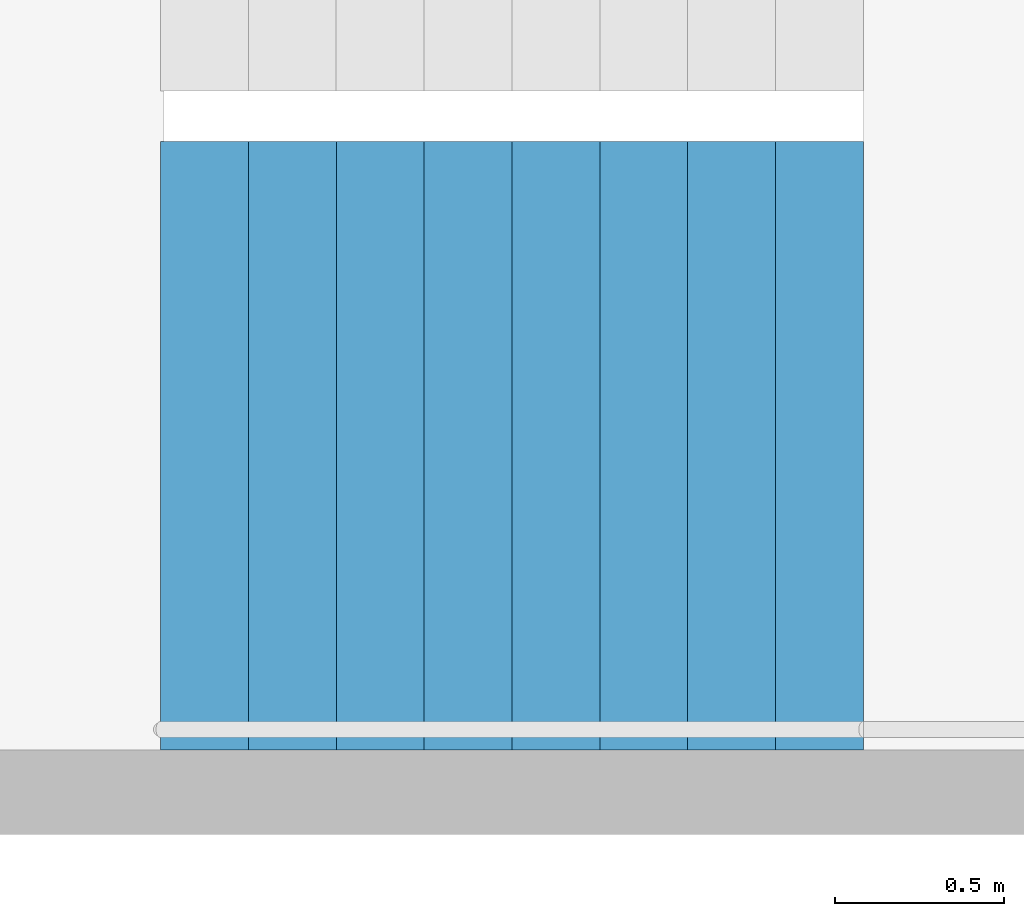
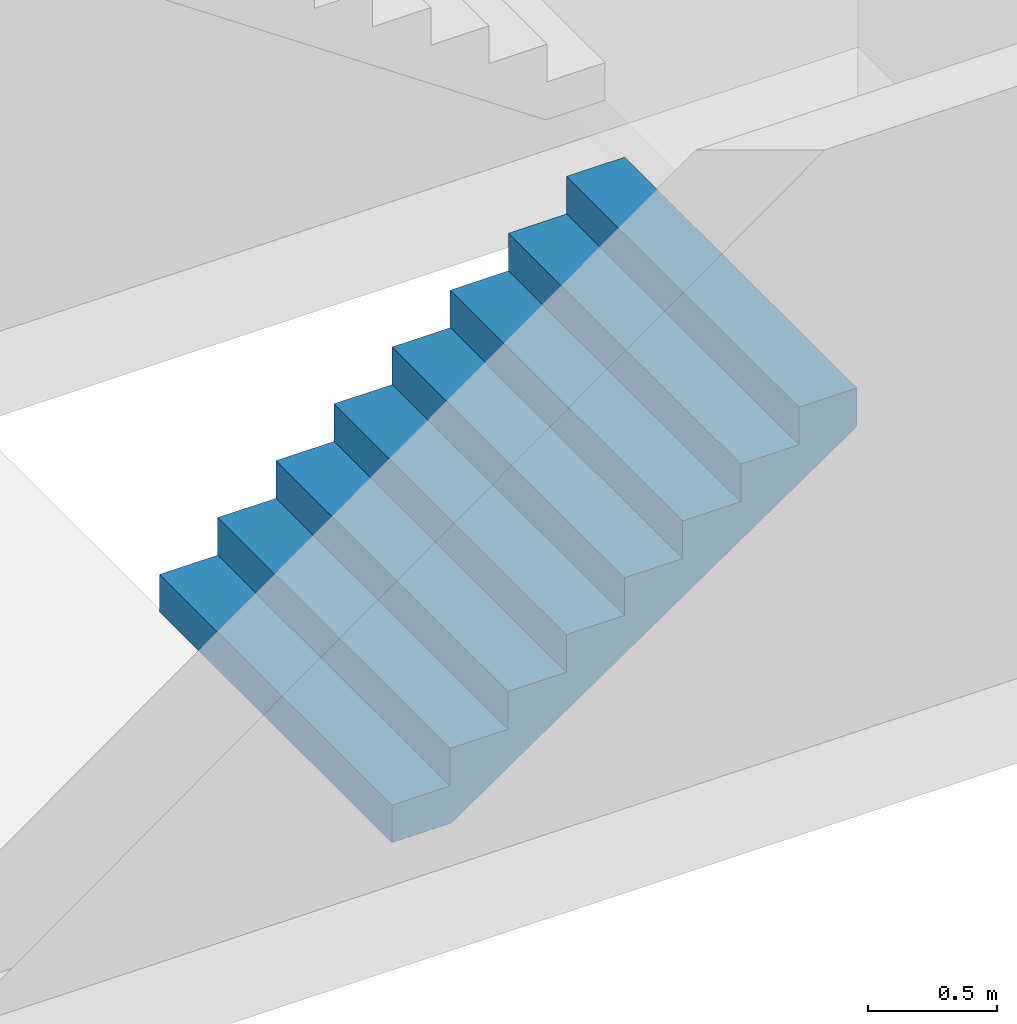
# One storey, part 23 of 29: 1 stair flight, 1 element without a shape of its own.
"""IFC4 building model written with IfcOpenShell, lengths in metres."""

from ifc_helpers import new_model, si_unit, direction, frame, origin, place, context, subcontext, project, spatial, triangles, material, type_object, element, aggregate, save


model = new_model("IFC4")

# Units and contexts
model_context = context("Model", 3, precision=1e-05, world=origin(), true_north=direction((0.0, 1.0)))
body_context = subcontext(model_context, "Body", "Model", "MODEL_VIEW")
ifc_project = project(units=[si_unit("LENGTHUNIT", "METRE"), si_unit("AREAUNIT", "SQUARE_METRE"), si_unit("VOLUMEUNIT", "CUBIC_METRE"), si_unit("PLANEANGLEUNIT", "RADIAN"), si_unit("MASSUNIT", "GRAM", prefix="KILO")], contexts=[model_context])

# Site, building, storey
site_placement = place(None, origin())
site = spatial("IfcSite", under=ifc_project, at=site_placement, CompositionType="ELEMENT")
building_placement = place(site_placement, origin())
building = spatial("IfcBuilding", under=site, at=building_placement, Name="Hakoniwa Tower and Hamabe Station Hall", CompositionType="ELEMENT")
storey_placement = place(building_placement, frame((0.0, 0.0, 85.0)))
storey = spatial("IfcBuildingStorey", under=building, at=storey_placement, Name="L23", CompositionType="ELEMENT", Elevation=85.0)

# Stair, stair flight
ifc_material_1 = material(Name="Concrete C40", Category="concrete")
stair_type = type_object("IfcStairType", Name="ESCAPE STAIR 1800", PredefinedType="HALF_TURN_STAIR", material=ifc_material_1)
stair_placement = place(storey_placement, origin())
stair = element("IfcStair", 1, at=stair_placement, inside=storey, type_object=stair_type, Name="Escape stair ST-1 L23", PredefinedType="HALF_TURN_STAIR")
ifc_material_2 = material(Name="Concrete C40", Category="concrete")
stair_flight_type = type_object("IfcStairFlightType", Name="STAIR FLIGHT 1800", PredefinedType="STRAIGHT", material=ifc_material_2)
stair_flight_placement = place(storey_placement, frame((-24.39990234375, 4.64990234375, 0.0), z_axis=(0.0, 0.0, 1.0), x_axis=(1.0, 0.0, 0.0)))
stair_flight = element("IfcStairFlight", 2, at=stair_flight_placement, type_object=stair_flight_type, Name="ST-1 flight 1", NumberOfRisers=9, NumberOfTreads=8, PredefinedType="STRAIGHT", RiserHeight=0.177777778, TreadLength=0.26, context=body_context, shape_type="Tessellation", body=[
    triangles([(0.0, 0.89990234375, 0.0), (0.260009765625, 0.89990234375, 0.0), (0.265625, 0.89990234375, 0.0), (0.52001953125, 0.89990234375, 0.174072265625), (0.780029296875, 0.89990234375, 0.351806640625), (1.0400390625, 0.89990234375, 0.529541015625), (1.300048828125, 0.89990234375, 0.707275390625), (1.56005859375, 0.89990234375, 0.885009765625), (1.820068359375, 0.89990234375, 1.062744140625), (2.080078125, 0.89990234375, 1.24072265625), (2.080078125, 0.89990234375, 1.422119140625), (1.820068359375, 0.89990234375, 1.422119140625), (1.820068359375, 0.89990234375, 1.244384765625), (1.56005859375, 0.89990234375, 1.244384765625), (1.56005859375, 0.89990234375, 1.066650390625), (1.300048828125, 0.89990234375, 1.066650390625), (1.300048828125, 0.89990234375, 0.888916015625), (1.0400390625, 0.89990234375, 0.888916015625), (1.0400390625, 0.89990234375, 0.711181640625), (0.780029296875, 0.89990234375, 0.711181640625), (0.780029296875, 0.89990234375, 0.533447265625), (0.52001953125, 0.89990234375, 0.533447265625), (0.52001953125, 0.89990234375, 0.35546875), (0.265625, 0.89990234375, 0.35546875), (0.260009765625, 0.89990234375, 0.35546875), (0.260009765625, 0.89990234375, 0.177734375), (0.0, 0.89990234375, 0.177734375), (0.0, 0.06005859375, 0.0), (0.260009765625, 0.06005859375, 0.0), (0.265625, 0.06005859375, 0.0), (0.52001953125, 0.06005859375, 0.174072265625), (0.780029296875, 0.06005859375, 0.351806640625), (1.0400390625, 0.06005859375, 0.529541015625), (1.300048828125, 0.06005859375, 0.707275390625), (1.56005859375, 0.06005859375, 0.885009765625), (1.820068359375, 0.06005859375, 1.062744140625), (2.080078125, 0.06005859375, 1.24072265625), (2.080078125, 0.06005859375, 1.422119140625), (1.820068359375, 0.06005859375, 1.422119140625), (1.820068359375, 0.06005859375, 1.244384765625), (1.56005859375, 0.06005859375, 1.244384765625), (1.56005859375, 0.06005859375, 1.066650390625), (1.300048828125, 0.06005859375, 1.066650390625), (1.300048828125, 0.06005859375, 0.888916015625), (1.0400390625, 0.06005859375, 0.888916015625), (1.0400390625, 0.06005859375, 0.711181640625), (0.780029296875, 0.06005859375, 0.711181640625), (0.780029296875, 0.06005859375, 0.533447265625), (0.52001953125, 0.06005859375, 0.533447265625), (0.52001953125, 0.06005859375, 0.35546875), (0.265625, 0.06005859375, 0.35546875), (0.260009765625, 0.06005859375, 0.35546875), (0.260009765625, 0.06005859375, 0.177734375), (0.0, 0.06005859375, 0.177734375), (0.0, 0.04296875, 0.0), (0.260009765625, 0.04296875, 0.0), (0.265625, 0.04296875, 0.0), (0.52001953125, 0.04296875, 0.174072265625), (0.780029296875, 0.04296875, 0.351806640625), (1.0400390625, 0.04296875, 0.529541015625), (1.300048828125, 0.04296875, 0.707275390625), (1.56005859375, 0.04296875, 0.885009765625), (1.820068359375, 0.04296875, 1.062744140625), (2.080078125, 0.04296875, 1.24072265625), (2.080078125, 0.04296875, 1.422119140625), (1.820068359375, 0.04296875, 1.422119140625), (1.820068359375, 0.04296875, 1.244384765625), (1.56005859375, 0.04296875, 1.244384765625), (1.56005859375, 0.04296875, 1.066650390625), (1.300048828125, 0.04296875, 1.066650390625), (1.300048828125, 0.04296875, 0.888916015625), (1.0400390625, 0.04296875, 0.888916015625), (1.0400390625, 0.04296875, 0.711181640625), (0.780029296875, 0.04296875, 0.711181640625), (0.780029296875, 0.04296875, 0.533447265625), (0.52001953125, 0.04296875, 0.533447265625), (0.52001953125, 0.04296875, 0.35546875), (0.265625, 0.04296875, 0.35546875), (0.260009765625, 0.04296875, 0.35546875), (0.260009765625, 0.04296875, 0.177734375), (0.0, 0.04296875, 0.177734375), (0.0, 0.025634765625, 0.0), (0.260009765625, 0.025634765625, 0.0), (0.265625, 0.025634765625, 0.0), (0.52001953125, 0.025634765625, 0.174072265625), (0.780029296875, 0.025634765625, 0.351806640625), (1.0400390625, 0.025634765625, 0.529541015625), (1.300048828125, 0.025634765625, 0.707275390625), (1.56005859375, 0.025634765625, 0.885009765625), (1.820068359375, 0.025634765625, 1.062744140625), (2.080078125, 0.025634765625, 1.24072265625), (2.080078125, 0.025634765625, 1.422119140625), (1.820068359375, 0.025634765625, 1.422119140625), (1.820068359375, 0.025634765625, 1.244384765625), (1.56005859375, 0.025634765625, 1.244384765625), (1.56005859375, 0.025634765625, 1.066650390625), (1.300048828125, 0.025634765625, 1.066650390625), (1.300048828125, 0.025634765625, 0.888916015625), (1.0400390625, 0.025634765625, 0.888916015625), (1.0400390625, 0.025634765625, 0.711181640625), (0.780029296875, 0.025634765625, 0.711181640625), (0.780029296875, 0.025634765625, 0.533447265625), (0.52001953125, 0.025634765625, 0.533447265625), (0.52001953125, 0.025634765625, 0.35546875), (0.265625, 0.025634765625, 0.35546875), (0.260009765625, 0.025634765625, 0.35546875), (0.260009765625, 0.025634765625, 0.177734375), (0.0, 0.025634765625, 0.177734375), (0.0, 0.008544921875, 0.0), (0.260009765625, 0.008544921875, 0.0), (0.265625, 0.008544921875, 0.0), (0.52001953125, 0.008544921875, 0.174072265625), (0.780029296875, 0.008544921875, 0.351806640625), (1.0400390625, 0.008544921875, 0.529541015625), (1.300048828125, 0.008544921875, 0.707275390625), (1.56005859375, 0.008544921875, 0.885009765625), (1.820068359375, 0.008544921875, 1.062744140625), (2.080078125, 0.008544921875, 1.24072265625), (2.080078125, 0.008544921875, 1.422119140625), (1.820068359375, 0.008544921875, 1.422119140625), (1.820068359375, 0.008544921875, 1.244384765625), (1.56005859375, 0.008544921875, 1.244384765625), (1.56005859375, 0.008544921875, 1.066650390625), (1.300048828125, 0.008544921875, 1.066650390625), (1.300048828125, 0.008544921875, 0.888916015625), (1.0400390625, 0.008544921875, 0.888916015625), (1.0400390625, 0.008544921875, 0.711181640625), (0.780029296875, 0.008544921875, 0.711181640625), (0.780029296875, 0.008544921875, 0.533447265625), (0.52001953125, 0.008544921875, 0.533447265625), (0.52001953125, 0.008544921875, 0.35546875), (0.265625, 0.008544921875, 0.35546875), (0.260009765625, 0.008544921875, 0.35546875), (0.260009765625, 0.008544921875, 0.177734375), (0.0, 0.008544921875, 0.177734375), (0.0, -0.008544921875, 0.0), (0.260009765625, -0.008544921875, 0.0), (0.265625, -0.008544921875, 0.0), (0.52001953125, -0.008544921875, 0.174072265625), (0.780029296875, -0.008544921875, 0.351806640625), (1.0400390625, -0.008544921875, 0.529541015625), (1.300048828125, -0.008544921875, 0.707275390625), (1.56005859375, -0.008544921875, 0.885009765625), (1.820068359375, -0.008544921875, 1.062744140625), (2.080078125, -0.008544921875, 1.24072265625), (2.080078125, -0.008544921875, 1.422119140625), (1.820068359375, -0.008544921875, 1.422119140625), (1.820068359375, -0.008544921875, 1.244384765625), (1.56005859375, -0.008544921875, 1.244384765625), (1.56005859375, -0.008544921875, 1.066650390625), (1.300048828125, -0.008544921875, 1.066650390625), (1.300048828125, -0.008544921875, 0.888916015625), (1.0400390625, -0.008544921875, 0.888916015625), (1.0400390625, -0.008544921875, 0.711181640625), (0.780029296875, -0.008544921875, 0.711181640625), (0.780029296875, -0.008544921875, 0.533447265625), (0.52001953125, -0.008544921875, 0.533447265625), (0.52001953125, -0.008544921875, 0.35546875), (0.265625, -0.008544921875, 0.35546875), (0.260009765625, -0.008544921875, 0.35546875), (0.260009765625, -0.008544921875, 0.177734375), (0.0, -0.008544921875, 0.177734375), (0.0, -0.025634765625, 0.0), (0.260009765625, -0.025634765625, 0.0), (0.265625, -0.025634765625, 0.0), (0.52001953125, -0.025634765625, 0.174072265625), (0.780029296875, -0.025634765625, 0.351806640625), (1.0400390625, -0.025634765625, 0.529541015625), (1.300048828125, -0.025634765625, 0.707275390625), (1.56005859375, -0.025634765625, 0.885009765625), (1.820068359375, -0.025634765625, 1.062744140625), (2.080078125, -0.025634765625, 1.24072265625), (2.080078125, -0.025634765625, 1.422119140625), (1.820068359375, -0.025634765625, 1.422119140625), (1.820068359375, -0.025634765625, 1.244384765625), (1.56005859375, -0.025634765625, 1.244384765625), (1.56005859375, -0.025634765625, 1.066650390625), (1.300048828125, -0.025634765625, 1.066650390625), (1.300048828125, -0.025634765625, 0.888916015625), (1.0400390625, -0.025634765625, 0.888916015625), (1.0400390625, -0.025634765625, 0.711181640625), (0.780029296875, -0.025634765625, 0.711181640625), (0.780029296875, -0.025634765625, 0.533447265625), (0.52001953125, -0.025634765625, 0.533447265625), (0.52001953125, -0.025634765625, 0.35546875), (0.265625, -0.025634765625, 0.35546875), (0.260009765625, -0.025634765625, 0.35546875), (0.260009765625, -0.025634765625, 0.177734375), (0.0, -0.025634765625, 0.177734375), (0.0, -0.04296875, 0.0), (0.260009765625, -0.04296875, 0.0), (0.265625, -0.04296875, 0.0), (0.52001953125, -0.04296875, 0.174072265625), (0.780029296875, -0.04296875, 0.351806640625), (1.0400390625, -0.04296875, 0.529541015625), (1.300048828125, -0.04296875, 0.707275390625), (1.56005859375, -0.04296875, 0.885009765625), (1.820068359375, -0.04296875, 1.062744140625), (2.080078125, -0.04296875, 1.24072265625), (2.080078125, -0.04296875, 1.422119140625), (1.820068359375, -0.04296875, 1.422119140625), (1.820068359375, -0.04296875, 1.244384765625), (1.56005859375, -0.04296875, 1.244384765625), (1.56005859375, -0.04296875, 1.066650390625), (1.300048828125, -0.04296875, 1.066650390625), (1.300048828125, -0.04296875, 0.888916015625), (1.0400390625, -0.04296875, 0.888916015625), (1.0400390625, -0.04296875, 0.711181640625), (0.780029296875, -0.04296875, 0.711181640625), (0.780029296875, -0.04296875, 0.533447265625), (0.52001953125, -0.04296875, 0.533447265625), (0.52001953125, -0.04296875, 0.35546875), (0.265625, -0.04296875, 0.35546875), (0.260009765625, -0.04296875, 0.35546875), (0.260009765625, -0.04296875, 0.177734375), (0.0, -0.04296875, 0.177734375), (0.0, -0.06005859375, 0.0), (0.260009765625, -0.06005859375, 0.0), (0.265625, -0.06005859375, 0.0), (0.52001953125, -0.06005859375, 0.174072265625), (0.780029296875, -0.06005859375, 0.351806640625), (1.0400390625, -0.06005859375, 0.529541015625), (1.300048828125, -0.06005859375, 0.707275390625), (1.56005859375, -0.06005859375, 0.885009765625), (1.820068359375, -0.06005859375, 1.062744140625), (2.080078125, -0.06005859375, 1.24072265625), (2.080078125, -0.06005859375, 1.422119140625), (1.820068359375, -0.06005859375, 1.422119140625), (1.820068359375, -0.06005859375, 1.244384765625), (1.56005859375, -0.06005859375, 1.244384765625), (1.56005859375, -0.06005859375, 1.066650390625), (1.300048828125, -0.06005859375, 1.066650390625), (1.300048828125, -0.06005859375, 0.888916015625), (1.0400390625, -0.06005859375, 0.888916015625), (1.0400390625, -0.06005859375, 0.711181640625), (0.780029296875, -0.06005859375, 0.711181640625), (0.780029296875, -0.06005859375, 0.533447265625), (0.52001953125, -0.06005859375, 0.533447265625), (0.52001953125, -0.06005859375, 0.35546875), (0.265625, -0.06005859375, 0.35546875), (0.260009765625, -0.06005859375, 0.35546875), (0.260009765625, -0.06005859375, 0.177734375), (0.0, -0.06005859375, 0.177734375), (0.0, -0.89990234375, 0.0), (0.260009765625, -0.89990234375, 0.0), (0.265625, -0.89990234375, 0.0), (0.52001953125, -0.89990234375, 0.174072265625), (0.780029296875, -0.89990234375, 0.351806640625), (1.0400390625, -0.89990234375, 0.529541015625), (1.300048828125, -0.89990234375, 0.707275390625), (1.56005859375, -0.89990234375, 0.885009765625), (1.820068359375, -0.89990234375, 1.062744140625), (2.080078125, -0.89990234375, 1.24072265625), (2.080078125, -0.89990234375, 1.422119140625), (1.820068359375, -0.89990234375, 1.422119140625), (1.820068359375, -0.89990234375, 1.244384765625), (1.56005859375, -0.89990234375, 1.244384765625), (1.56005859375, -0.89990234375, 1.066650390625), (1.300048828125, -0.89990234375, 1.066650390625), (1.300048828125, -0.89990234375, 0.888916015625), (1.0400390625, -0.89990234375, 0.888916015625), (1.0400390625, -0.89990234375, 0.711181640625), (0.780029296875, -0.89990234375, 0.711181640625), (0.780029296875, -0.89990234375, 0.533447265625), (0.52001953125, -0.89990234375, 0.533447265625), (0.52001953125, -0.89990234375, 0.35546875), (0.265625, -0.89990234375, 0.35546875), (0.260009765625, -0.89990234375, 0.35546875), (0.260009765625, -0.89990234375, 0.177734375), (0.0, -0.89990234375, 0.177734375)], [[2, 27, 26], [245, 269, 270], [2, 1, 27], [245, 270, 244], [3, 25, 24], [246, 267, 268], [3, 26, 25], [246, 268, 269], [3, 2, 26], [246, 269, 245], [4, 24, 23], [247, 266, 267], [4, 3, 24], [247, 267, 246], [5, 22, 21], [248, 264, 265], [5, 23, 22], [248, 265, 266], [5, 4, 23], [248, 266, 247], [6, 20, 19], [249, 262, 263], [6, 21, 20], [249, 263, 264], [6, 5, 21], [249, 264, 248], [7, 18, 17], [250, 260, 261], [7, 19, 18], [250, 261, 262], [7, 6, 19], [250, 262, 249], [8, 16, 15], [251, 258, 259], [8, 17, 16], [251, 259, 260], [8, 7, 17], [251, 260, 250], [9, 14, 13], [252, 256, 257], [9, 15, 14], [252, 257, 258], [9, 8, 15], [252, 258, 251], [10, 12, 11], [253, 254, 255], [10, 13, 12], [253, 255, 256], [10, 9, 13], [253, 256, 252], [1, 2, 29], [1, 29, 28], [28, 29, 56], [28, 56, 55], [55, 56, 83], [55, 83, 82], [82, 83, 110], [82, 110, 109], [109, 110, 137], [109, 137, 136], [136, 137, 164], [136, 164, 163], [163, 164, 191], [163, 191, 190], [190, 191, 218], [190, 218, 217], [217, 218, 245], [217, 245, 244], [2, 3, 30], [2, 30, 29], [29, 30, 57], [29, 57, 56], [56, 57, 84], [56, 84, 83], [83, 84, 111], [83, 111, 110], [110, 111, 138], [110, 138, 137], [137, 138, 165], [137, 165, 164], [164, 165, 192], [164, 192, 191], [191, 192, 219], [191, 219, 218], [218, 219, 246], [218, 246, 245], [3, 4, 31], [3, 31, 30], [30, 31, 58], [30, 58, 57], [57, 58, 85], [57, 85, 84], [84, 85, 112], [84, 112, 111], [111, 112, 139], [111, 139, 138], [138, 139, 166], [138, 166, 165], [165, 166, 193], [165, 193, 192], [192, 193, 220], [192, 220, 219], [219, 220, 247], [219, 247, 246], [4, 5, 32], [4, 32, 31], [31, 32, 59], [31, 59, 58], [58, 59, 86], [58, 86, 85], [85, 86, 113], [85, 113, 112], [112, 113, 140], [112, 140, 139], [139, 140, 167], [139, 167, 166], [166, 167, 194], [166, 194, 193], [193, 194, 221], [193, 221, 220], [220, 221, 248], [220, 248, 247], [5, 6, 33], [5, 33, 32], [32, 33, 60], [32, 60, 59], [59, 60, 87], [59, 87, 86], [86, 87, 114], [86, 114, 113], [113, 114, 141], [113, 141, 140], [140, 141, 168], [140, 168, 167], [167, 168, 195], [167, 195, 194], [194, 195, 222], [194, 222, 221], [221, 222, 249], [221, 249, 248], [6, 7, 34], [6, 34, 33], [33, 34, 61], [33, 61, 60], [60, 61, 88], [60, 88, 87], [87, 88, 115], [87, 115, 114], [114, 115, 142], [114, 142, 141], [141, 142, 169], [141, 169, 168], [168, 169, 196], [168, 196, 195], [195, 196, 223], [195, 223, 222], [222, 223, 250], [222, 250, 249], [7, 8, 35], [7, 35, 34], [34, 35, 62], [34, 62, 61], [61, 62, 89], [61, 89, 88], [88, 89, 116], [88, 116, 115], [115, 116, 143], [115, 143, 142], [142, 143, 170], [142, 170, 169], [169, 170, 197], [169, 197, 196], [196, 197, 224], [196, 224, 223], [223, 224, 251], [223, 251, 250], [8, 9, 36], [8, 36, 35], [35, 36, 63], [35, 63, 62], [62, 63, 90], [62, 90, 89], [89, 90, 117], [89, 117, 116], [116, 117, 144], [116, 144, 143], [143, 144, 171], [143, 171, 170], [170, 171, 198], [170, 198, 197], [197, 198, 225], [197, 225, 224], [224, 225, 252], [224, 252, 251], [9, 10, 37], [9, 37, 36], [36, 37, 64], [36, 64, 63], [63, 64, 91], [63, 91, 90], [90, 91, 118], [90, 118, 117], [117, 118, 145], [117, 145, 144], [144, 145, 172], [144, 172, 171], [171, 172, 199], [171, 199, 198], [198, 199, 226], [198, 226, 225], [225, 226, 253], [225, 253, 252], [10, 11, 38], [10, 38, 37], [37, 38, 65], [37, 65, 64], [64, 65, 92], [64, 92, 91], [91, 92, 119], [91, 119, 118], [118, 119, 146], [118, 146, 145], [145, 146, 173], [145, 173, 172], [172, 173, 200], [172, 200, 199], [199, 200, 227], [199, 227, 226], [226, 227, 254], [226, 254, 253], [11, 12, 39], [11, 39, 38], [38, 39, 66], [38, 66, 65], [65, 66, 93], [65, 93, 92], [92, 93, 120], [92, 120, 119], [119, 120, 147], [119, 147, 146], [146, 147, 174], [146, 174, 173], [173, 174, 201], [173, 201, 200], [200, 201, 228], [200, 228, 227], [227, 228, 255], [227, 255, 254], [12, 13, 40], [12, 40, 39], [39, 40, 67], [39, 67, 66], [66, 67, 94], [66, 94, 93], [93, 94, 121], [93, 121, 120], [120, 121, 148], [120, 148, 147], [147, 148, 175], [147, 175, 174], [174, 175, 202], [174, 202, 201], [201, 202, 229], [201, 229, 228], [228, 229, 256], [228, 256, 255], [13, 14, 41], [13, 41, 40], [40, 41, 68], [40, 68, 67], [67, 68, 95], [67, 95, 94], [94, 95, 122], [94, 122, 121], [121, 122, 149], [121, 149, 148], [148, 149, 176], [148, 176, 175], [175, 176, 203], [175, 203, 202], [202, 203, 230], [202, 230, 229], [229, 230, 257], [229, 257, 256], [14, 15, 42], [14, 42, 41], [41, 42, 69], [41, 69, 68], [68, 69, 96], [68, 96, 95], [95, 96, 123], [95, 123, 122], [122, 123, 150], [122, 150, 149], [149, 150, 177], [149, 177, 176], [176, 177, 204], [176, 204, 203], [203, 204, 231], [203, 231, 230], [230, 231, 258], [230, 258, 257], [15, 16, 43], [15, 43, 42], [42, 43, 70], [42, 70, 69], [69, 70, 97], [69, 97, 96], [96, 97, 124], [96, 124, 123], [123, 124, 151], [123, 151, 150], [150, 151, 178], [150, 178, 177], [177, 178, 205], [177, 205, 204], [204, 205, 232], [204, 232, 231], [231, 232, 259], [231, 259, 258], [16, 17, 44], [16, 44, 43], [43, 44, 71], [43, 71, 70], [70, 71, 98], [70, 98, 97], [97, 98, 125], [97, 125, 124], [124, 125, 152], [124, 152, 151], [151, 152, 179], [151, 179, 178], [178, 179, 206], [178, 206, 205], [205, 206, 233], [205, 233, 232], [232, 233, 260], [232, 260, 259], [17, 18, 45], [17, 45, 44], [44, 45, 72], [44, 72, 71], [71, 72, 99], [71, 99, 98], [98, 99, 126], [98, 126, 125], [125, 126, 153], [125, 153, 152], [152, 153, 180], [152, 180, 179], [179, 180, 207], [179, 207, 206], [206, 207, 234], [206, 234, 233], [233, 234, 261], [233, 261, 260], [18, 19, 46], [18, 46, 45], [45, 46, 73], [45, 73, 72], [72, 73, 100], [72, 100, 99], [99, 100, 127], [99, 127, 126], [126, 127, 154], [126, 154, 153], [153, 154, 181], [153, 181, 180], [180, 181, 208], [180, 208, 207], [207, 208, 235], [207, 235, 234], [234, 235, 262], [234, 262, 261], [19, 20, 47], [19, 47, 46], [46, 47, 74], [46, 74, 73], [73, 74, 101], [73, 101, 100], [100, 101, 128], [100, 128, 127], [127, 128, 155], [127, 155, 154], [154, 155, 182], [154, 182, 181], [181, 182, 209], [181, 209, 208], [208, 209, 236], [208, 236, 235], [235, 236, 263], [235, 263, 262], [20, 21, 48], [20, 48, 47], [47, 48, 75], [47, 75, 74], [74, 75, 102], [74, 102, 101], [101, 102, 129], [101, 129, 128], [128, 129, 156], [128, 156, 155], [155, 156, 183], [155, 183, 182], [182, 183, 210], [182, 210, 209], [209, 210, 237], [209, 237, 236], [236, 237, 264], [236, 264, 263], [21, 22, 49], [21, 49, 48], [48, 49, 76], [48, 76, 75], [75, 76, 103], [75, 103, 102], [102, 103, 130], [102, 130, 129], [129, 130, 157], [129, 157, 156], [156, 157, 184], [156, 184, 183], [183, 184, 211], [183, 211, 210], [210, 211, 238], [210, 238, 237], [237, 238, 265], [237, 265, 264], [22, 23, 50], [22, 50, 49], [49, 50, 77], [49, 77, 76], [76, 77, 104], [76, 104, 103], [103, 104, 131], [103, 131, 130], [130, 131, 158], [130, 158, 157], [157, 158, 185], [157, 185, 184], [184, 185, 212], [184, 212, 211], [211, 212, 239], [211, 239, 238], [238, 239, 266], [238, 266, 265], [23, 24, 51], [23, 51, 50], [50, 51, 78], [50, 78, 77], [77, 78, 105], [77, 105, 104], [104, 105, 132], [104, 132, 131], [131, 132, 159], [131, 159, 158], [158, 159, 186], [158, 186, 185], [185, 186, 213], [185, 213, 212], [212, 213, 240], [212, 240, 239], [239, 240, 267], [239, 267, 266], [24, 25, 52], [24, 52, 51], [51, 52, 79], [51, 79, 78], [78, 79, 106], [78, 106, 105], [105, 106, 133], [105, 133, 132], [132, 133, 160], [132, 160, 159], [159, 160, 187], [159, 187, 186], [186, 187, 214], [186, 214, 213], [213, 214, 241], [213, 241, 240], [240, 241, 268], [240, 268, 267], [25, 26, 53], [25, 53, 52], [52, 53, 80], [52, 80, 79], [79, 80, 107], [79, 107, 106], [106, 107, 134], [106, 134, 133], [133, 134, 161], [133, 161, 160], [160, 161, 188], [160, 188, 187], [187, 188, 215], [187, 215, 214], [214, 215, 242], [214, 242, 241], [241, 242, 269], [241, 269, 268], [26, 27, 54], [26, 54, 53], [53, 54, 81], [53, 81, 80], [80, 81, 108], [80, 108, 107], [107, 108, 135], [107, 135, 134], [134, 135, 162], [134, 162, 161], [161, 162, 189], [161, 189, 188], [188, 189, 216], [188, 216, 215], [215, 216, 243], [215, 243, 242], [242, 243, 270], [242, 270, 269], [27, 1, 28], [27, 28, 54], [54, 28, 55], [54, 55, 81], [81, 55, 82], [81, 82, 108], [108, 82, 109], [108, 109, 135], [135, 109, 136], [135, 136, 162], [162, 136, 163], [162, 163, 189], [189, 163, 190], [189, 190, 216], [216, 190, 217], [216, 217, 243], [243, 217, 244], [243, 244, 270]], closed=True),
])
aggregate(stair, [stair_flight])

save(model, "model.ifc")
